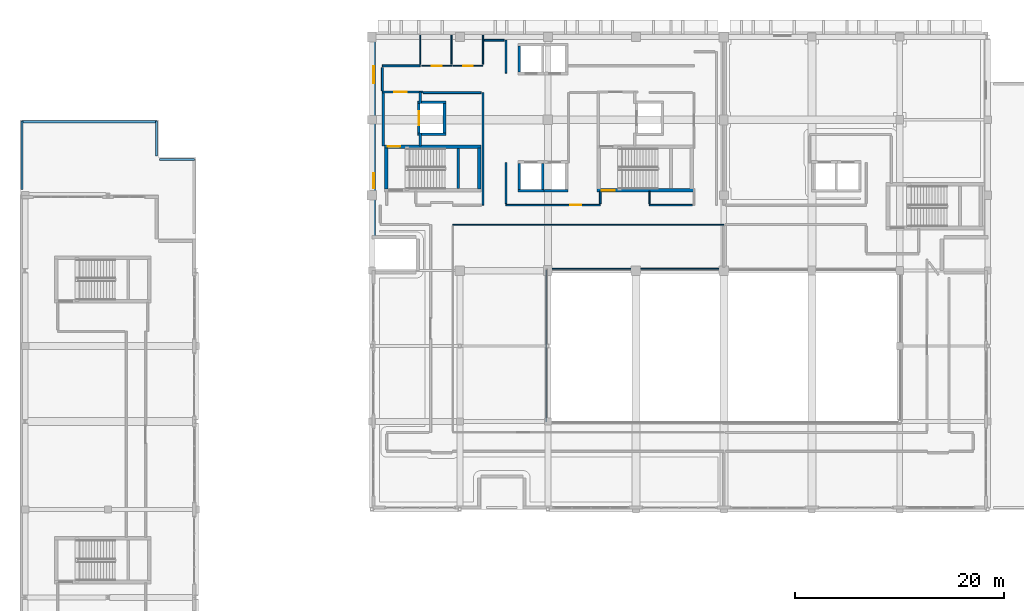
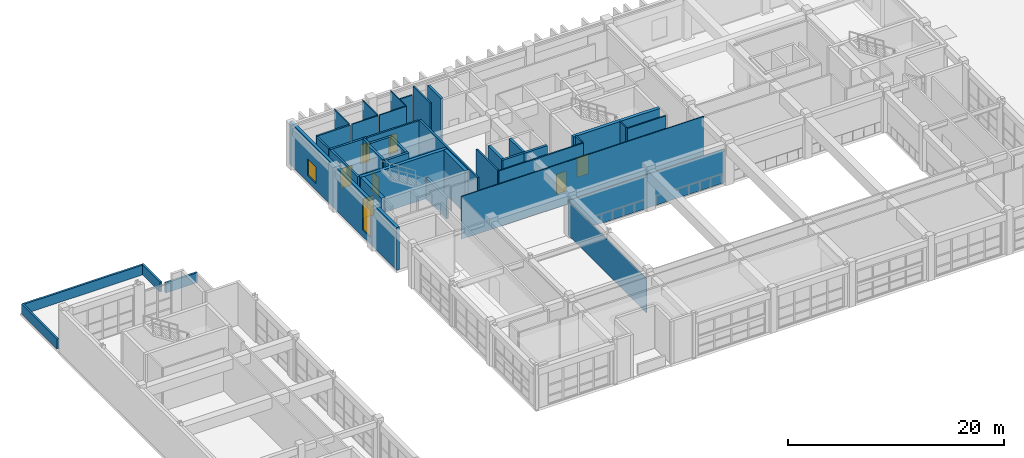
# One storey, part 63 of 78: 42 walls, 7 doors, 2 windows, 9 openings.
"""IFC4 building model written with IfcOpenShell, lengths in metres."""

from ifc_helpers import new_model, si_unit, direction, frame, frame_2d, origin, place, context, subcontext, project, spatial, rectangle, extrude, material, layer, layer_set, type_object, element, fill, save


model = new_model("IFC4")

# Units and contexts
model_context = context("Model", 3, precision=1e-05, world=origin(), true_north=direction((0.0, 1.0)))
body_context = subcontext(model_context, "Body", "Model", "MODEL_VIEW")
ifc_project = project(units=[si_unit("LENGTHUNIT", "METRE"), si_unit("AREAUNIT", "SQUARE_METRE"), si_unit("VOLUMEUNIT", "CUBIC_METRE"), si_unit("PLANEANGLEUNIT", "RADIAN"), si_unit("MASSUNIT", "GRAM", prefix="KILO")], contexts=[model_context])

# Site, building, storey
site_placement = place(None, origin())
site = spatial("IfcSite", under=ifc_project, at=site_placement, CompositionType="ELEMENT")
building_placement = place(site_placement, origin())
building = spatial("IfcBuilding", under=site, at=building_placement, Name="Quendrovan Civic Courthouse", CompositionType="ELEMENT")
storey_placement = place(building_placement, frame((0.0, 0.0, 10.199951171875)))
storey = spatial("IfcBuildingStorey", under=building, at=storey_placement, Name="L03", CompositionType="ELEMENT", Elevation=10.199951171875)

# Walls
ifc_material_1 = material(Name="Acoustic gypsum stud partition")
ifc_layer_1 = layer(ifc_material_1, 0.139892578125, Name="Acoustic gypsum stud partition")
ifc_layer_set_1 = layer_set([ifc_layer_1], Name="Acoustic gypsum stud partition")
wall_type_1 = type_object("IfcWallType", Name="WL-CHM-140", PredefinedType="PARTITIONING", material=ifc_layer_set_1)
wall_1_placement = place(storey_placement, frame((64.199951171875, 93.85009765625, 0.0), z_axis=(0.0, 0.0, 1.0), x_axis=(-1.0, 0.0, 0.0)))
element("IfcWall", 1, at=wall_1_placement, inside=storey, type_object=wall_type_1, Name="L03 Judges' Chambers Suite Partition 0488", PredefinedType="PARTITIONING", context=body_context, shape_type="SweptSolid", body=[
    extrude(rectangle(XDim=4.099853515625, YDim=0.139892578125, at=frame_2d((2.0498046875, 0.0))), origin(), (0.0, 0.0, 1.0), 4.820068359375),
])
wall_2_placement = place(storey_placement, frame((60.10009765625, 94.0, 0.0), z_axis=(0.0, 0.0, 1.0), x_axis=(0.0, 1.0, 0.0)))
element("IfcWall", 2, at=wall_2_placement, inside=storey, type_object=wall_type_1, Name="L03 Judges' Chambers Suite Partition 0541", PredefinedType="PARTITIONING", context=body_context, shape_type="SweptSolid", body=[
    extrude(rectangle(XDim=1.179931640625, YDim=0.139892578125, at=frame_2d((0.58984375, 0.0))), origin(), (0.0, 0.0, 1.0), 4.820068359375),
])

# Wall, opening, door
ifc_material_2 = material(Name="Concrete C45/55", Category="concrete")
ifc_layer_2 = layer(ifc_material_2, 0.35009765625, Name="Concrete C45/55")
ifc_layer_set_2 = layer_set([ifc_layer_2], Name="Concrete C45/55")
wall_type_2 = type_object("IfcWallType", Name="WL-CORE-350", PredefinedType="SHEAR", material=ifc_layer_set_2)
wall_3_placement = place(storey_placement, frame((44.010009765625, 99.43505859375, 0.0), z_axis=(0.0, 0.0, 1.0), x_axis=(-1.0, 0.0, 0.0)))
wall_3 = element("IfcWall", 3, at=wall_3_placement, inside=storey, type_object=wall_type_2, Name="L03 Core Shear Wall ST1-N", PredefinedType="SHEAR", context=body_context, shape_type="SweptSolid", body=[
    extrude(rectangle(XDim=9.219970703125, YDim=0.35009765625, at=frame_2d((4.60986328125, 0.0))), origin(), (0.0, 0.0, 1.0), 4.820068359375),
])
opening_1_placement = place(wall_3_placement, frame((7.719970703125, 0.0, 0.0)))
opening_1 = element("IfcOpeningElement", 4, at=opening_1_placement, cuts=wall_3, Name="Opening DFF-ST1-L03", PredefinedType="OPENING", context=body_context, shape_type="SweptSolid", body=[
    extrude(rectangle(XDim=1.199951171875, YDim=2.199951171875, at=frame_2d((0.60009765625, 1.10009765625))), frame((0.0, 0.18505859375, 0.0), z_axis=(0.0, -1.0, 0.0), x_axis=(1.0, 0.0, 0.0)), (0.0, 0.0, 1.0), 0.3701171875),
])
ifc_material_3 = material(Name="Painted galvanized hollow-metal steel", Category="steel")
door_type_1 = type_object("IfcDoorType", Name="DR-FFLOB-1200", OperationType="NOTDEFINED", PredefinedType="DOOR", material=ifc_material_3)
door_1_placement = place(opening_1_placement, origin())
door_1 = element("IfcDoor", 5, at=door_1_placement, inside=storey, type_object=door_type_1, Name="L03 Firefighting Lobby FL1 Direct Stair ST1 Door", OperationType="SINGLE_SWING_RIGHT", OverallHeight=2.199951171875, OverallWidth=1.199951171875, PredefinedType="DOOR", context=body_context, shape_type="SweptSolid", body=[
    extrude(rectangle(XDim=1.199951171875, YDim=2.199951171875, at=frame_2d((0.60009765625, 1.10009765625))), frame((0.0, 0.02490234375, 0.0), z_axis=(0.0, -1.0, 0.0), x_axis=(1.0, 0.0, 0.0)), (0.0, 0.0, 1.0), 0.050048828125),
])
fill(opening_1, door_1)

# Walls
for number, where, z_axis, x_axis, name in (
    (6, (34.965087890625, 95.39990234375, 0.0), (0.0, 0.0, 1.0), (0.0, 1.0, 0.0), "L03 Core Shear Wall ST1-W"),
    (7, (43.8349609375, 99.300048828125, 0.0), (0.0, 0.0, 1.0), (0.0, -1.0, 0.0), "L03 Core Shear Wall ST1-E"),
):
    element("IfcWall", number, at=place(storey_placement, frame(where, z_axis=z_axis, x_axis=x_axis)), inside=storey, type_object=wall_type_2, Name=name, PredefinedType="SHEAR", context=body_context, shape_type="SweptSolid", body=[
        extrude(rectangle(XDim=3.900146484375, YDim=0.35009765625, at=frame_2d((1.9501953125, 0.0))), origin(), (0.0, 0.0, 1.0), 4.820068359375),
    ])

# Wall, opening, door
wall_4_placement = place(storey_placement, frame((55.090087890625, 95.264892578125, 0.0), z_axis=(0.0, 0.0, 1.0), x_axis=(1.0, 0.0, 0.0)))
wall_4 = element("IfcWall", 8, at=wall_4_placement, inside=storey, type_object=wall_type_2, Name="L03 Core Shear Wall ST2-S", PredefinedType="SHEAR", context=body_context, shape_type="SweptSolid", body=[
    extrude(rectangle(XDim=9.219970703125, YDim=0.35009765625, at=frame_2d((4.60986328125, 0.0))), origin(), (0.0, 0.0, 1.0), 4.820068359375),
])
opening_2_placement = place(wall_4_placement, frame((0.449951171875, 0.0, 0.0)))
opening_2 = element("IfcOpeningElement", 9, at=opening_2_placement, cuts=wall_4, Name="Opening DS-ST2-L03", PredefinedType="OPENING", context=body_context, shape_type="SweptSolid", body=[
    extrude(rectangle(XDim=1.25, YDim=2.199951171875, at=frame_2d((0.625, 1.10009765625))), frame((0.0, 0.18505859375, 0.0), z_axis=(0.0, -1.0, 0.0), x_axis=(1.0, 0.0, 0.0)), (0.0, 0.0, 1.0), 0.3701171875),
])
door_type_2 = type_object("IfcDoorType", Name="DR-STAIR-1250", OperationType="NOTDEFINED", PredefinedType="DOOR", material=ifc_material_3)
door_2_placement = place(opening_2_placement, origin())
door_2 = element("IfcDoor", 10, at=door_2_placement, inside=storey, type_object=door_type_2, Name="L03 Exit Stair ST2 Fire Door", OperationType="SINGLE_SWING_RIGHT", OverallHeight=2.199951171875, OverallWidth=1.25, PredefinedType="DOOR", context=body_context, shape_type="SweptSolid", body=[
    extrude(rectangle(XDim=1.25, YDim=2.199951171875, at=frame_2d((0.625, 1.10009765625))), frame((0.0, 0.02490234375, 0.0), z_axis=(0.0, -1.0, 0.0), x_axis=(1.0, 0.0, 0.0)), (0.0, 0.0, 1.0), 0.050048828125),
])
fill(opening_2, door_2)

# Walls
ifc_material_4 = material(Name="Acoustic gypsum and mineral wool partition")
ifc_layer_3 = layer(ifc_material_4, 0.179931640625, Name="Acoustic gypsum and mineral wool partition")
ifc_layer_set_3 = layer_set([ifc_layer_3], Name="Acoustic gypsum and mineral wool partition")
wall_type_3 = type_object("IfcWallType", Name="WL-CRT-AC180", PredefinedType="PARTITIONING", material=ifc_layer_set_3)
wall_5_placement = place(storey_placement, frame((44.199951171875, 104.60009765625, 0.0), z_axis=(0.0, 0.0, 1.0), x_axis=(0.0, -1.0, 0.0)))
element("IfcWall", 11, at=wall_5_placement, inside=storey, type_object=wall_type_3, Name="L03 Criminal Courtroom Partition 0454", PredefinedType="PARTITIONING", context=body_context, shape_type="SweptSolid", body=[
    extrude(rectangle(XDim=10.75, YDim=0.179931640625, at=frame_2d((5.375, 0.0))), origin(), (0.0, 0.0, 1.0), 4.820068359375),
])
wall_6_placement = place(storey_placement, frame((38.47998046875, 104.60009765625, 0.0), z_axis=(0.0, 0.0, 1.0), x_axis=(1.0, 0.0, 0.0)))
element("IfcWall", 12, at=wall_6_placement, inside=storey, type_object=wall_type_3, Name="L03 Criminal Courtroom Partition 0473", PredefinedType="PARTITIONING", context=body_context, shape_type="SweptSolid", body=[
    extrude(rectangle(XDim=5.550048828125, YDim=0.179931640625, at=frame_2d((2.77490234375, 0.0))), origin(), (0.0, 0.0, 1.0), 4.820068359375),
])
wall_7_placement = place(storey_placement, frame((38.199951171875, 107.14990234375, 0.0), z_axis=(0.0, 0.0, 1.0), x_axis=(-1.0, 0.0, 0.0)))
element("IfcWall", 13, at=wall_7_placement, inside=storey, type_object=wall_type_3, Name="L03 Criminal Courtroom Partition 0495", PredefinedType="PARTITIONING", context=body_context, shape_type="SweptSolid", body=[
    extrude(rectangle(XDim=3.599853515625, YDim=0.179931640625, at=frame_2d((1.7998046875, 0.0))), origin(), (0.0, 0.0, 1.0), 4.820068359375),
])
wall_8_placement = place(storey_placement, frame((46.39990234375, 106.449951171875, 0.0), z_axis=(0.0, 0.0, 1.0), x_axis=(0.0, 1.0, 0.0)))
element("IfcWall", 14, at=wall_8_placement, inside=storey, type_object=wall_type_3, Name="L03 Criminal Courtroom Partition 0499", PredefinedType="PARTITIONING", context=body_context, shape_type="SweptSolid", body=[
    extrude(rectangle(XDim=3.150146484375, YDim=0.179931640625, at=frame_2d((1.5751953125, 0.0))), origin(), (0.0, 0.0, 1.0), 4.820068359375),
])
wall_9_placement = place(storey_placement, frame((34.60009765625, 106.97998046875, 0.0), z_axis=(0.0, 0.0, 1.0), x_axis=(0.0, -1.0, 0.0)))
element("IfcWall", 15, at=wall_9_placement, inside=storey, type_object=wall_type_3, Name="L03 Criminal Courtroom Partition 0513", PredefinedType="PARTITIONING", context=body_context, shape_type="SweptSolid", body=[
    extrude(rectangle(XDim=2.2099609375, YDim=0.179931640625, at=frame_2d((1.10498046875, 0.0))), origin(), (0.0, 0.0, 1.0), 4.820068359375),
])
wall_10_placement = place(storey_placement, frame((46.22998046875, 109.60009765625, 0.0), z_axis=(0.0, 0.0, 1.0), x_axis=(-1.0, 0.0, 0.0)))
element("IfcWall", 16, at=wall_10_placement, inside=storey, type_object=wall_type_3, Name="L03 Criminal Courtroom Partition 0519", PredefinedType="PARTITIONING", context=body_context, shape_type="SweptSolid", body=[
    extrude(rectangle(XDim=1.89501953125, YDim=0.179931640625, at=frame_2d((0.947509765625, 0.0))), origin(), (0.0, 0.0, 1.0), 3.900146484375),
])

# Wall, openings, windows
ifc_material_5 = material(Name="Precast concrete C45/55", Category="concrete")
ifc_layer_4 = layer(ifc_material_5, 0.320068359375, Name="Precast concrete C45/55")
ifc_layer_set_4 = layer_set([ifc_layer_4], Name="Precast concrete C45/55")
wall_type_4 = type_object("IfcWallType", Name="WL-EXT-PC320", PredefinedType="SOLIDWALL", material=ifc_layer_set_4)
wall_11_placement = place(storey_placement, frame((33.780029296875, 90.60009765625, 0.0), z_axis=(0.0, 0.0, 1.0), x_axis=(0.0, 1.0, 0.0)))
wall_11 = element("IfcWall", 17, at=wall_11_placement, inside=storey, type_object=wall_type_4, Name="L03 Exterior Precast Concrete Wall 286", PredefinedType="SOLIDWALL", context=body_context, shape_type="SweptSolid", body=[
    extrude(rectangle(XDim=19.7998046875, YDim=0.320068359375, at=frame_2d((9.89990234375, 0.0))), origin(), (0.0, 0.0, 1.0), 4.820068359375),
])
opening_3_placement = place(wall_11_placement, frame((4.8798828125, 0.0, 0.75)))
opening_3 = element("IfcOpeningElement", 18, at=opening_3_placement, cuts=wall_11, Name="Opening W29", PredefinedType="OPENING", context=body_context, shape_type="SweptSolid", body=[
    extrude(rectangle(XDim=1.43994140625, YDim=3.050048828125, at=frame_2d((0.719970703125, 1.52490234375))), frame((0.0, 0.169921875, 0.0), z_axis=(0.0, -1.0, 0.0), x_axis=(1.0, 0.0, 0.0)), (0.0, 0.0, 1.0), 0.340087890625),
])
opening_4_placement = place(wall_11_placement, frame((14.8701171875, 0.0, 0.75)))
opening_4 = element("IfcOpeningElement", 19, at=opening_4_placement, cuts=wall_11, Name="Opening W31", PredefinedType="OPENING", context=body_context, shape_type="SweptSolid", body=[
    extrude(rectangle(XDim=1.6201171875, YDim=1.85009765625, at=frame_2d((0.81005859375, 0.925048828125))), frame((0.0, 0.169921875, 0.0), z_axis=(0.0, -1.0, 0.0), x_axis=(1.0, 0.0, 0.0)), (0.0, 0.0, 1.0), 0.340087890625),
])
ifc_material_6 = material(Name="Laminated hurricane-impact low-E glass", Category="glass")
window_type_1 = type_object("IfcWindowType", Name="WIN-SLT-29", PartitioningType="SINGLE_PANEL", PredefinedType="WINDOW", material=ifc_material_6)
window_1_placement = place(opening_3_placement, origin())
window_1 = element("IfcWindow", 20, at=window_1_placement, inside=storey, type_object=window_type_1, Name="L03 Courtroom Shaded Slot Window 0015", OverallHeight=3.050048828125, OverallWidth=1.43994140625, PartitioningType="SINGLE_PANEL", PredefinedType="WINDOW", context=body_context, shape_type="SweptSolid", body=[
    extrude(rectangle(XDim=1.43994140625, YDim=3.050048828125, at=frame_2d((0.719970703125, 1.52490234375))), frame((0.0, 0.030029296875, 0.0), z_axis=(0.0, -1.0, 0.0), x_axis=(1.0, 0.0, 0.0)), (0.0, 0.0, 1.0), 0.06005859375),
])
fill(opening_3, window_1)
window_type_2 = type_object("IfcWindowType", Name="WIN-SLT-31", PartitioningType="SINGLE_PANEL", PredefinedType="WINDOW", material=ifc_material_6)
window_2_placement = place(opening_4_placement, origin())
window_2 = element("IfcWindow", 21, at=window_2_placement, inside=storey, type_object=window_type_2, Name="L03 Courtroom Shaded Slot Window 0016", OverallHeight=1.85009765625, OverallWidth=1.6201171875, PartitioningType="SINGLE_PANEL", PredefinedType="WINDOW", context=body_context, shape_type="SweptSolid", body=[
    extrude(rectangle(XDim=1.6201171875, YDim=1.85009765625, at=frame_2d((0.81005859375, 0.925048828125))), frame((0.0, 0.030029296875, 0.0), z_axis=(0.0, -1.0, 0.0), x_axis=(1.0, 0.0, 0.0)), (0.0, 0.0, 1.0), 0.06005859375),
])
fill(opening_4, window_2)

# Wall, opening, door
ifc_material_7 = material(Name="Concrete C40/50", Category="concrete")
ifc_layer_5 = layer(ifc_material_7, 0.22998046875, Name="Concrete C40/50")
ifc_layer_set_5 = layer_set([ifc_layer_5], Name="Concrete C40/50")
wall_type_5 = type_object("IfcWallType", Name="WL-FFLOB-230", PredefinedType="PARTITIONING", material=ifc_layer_set_5)
wall_12_placement = place(storey_placement, frame((34.590087890625, 104.64990234375, 0.0), z_axis=(0.0, 0.0, 1.0), x_axis=(1.0, 0.0, 0.0)))
wall_12 = element("IfcWall", 22, at=wall_12_placement, inside=storey, type_object=wall_type_5, Name="L03 Firefighting Lift Lobby FL1 Wall N", PredefinedType="PARTITIONING", context=body_context, shape_type="SweptSolid", body=[
    extrude(rectangle(XDim=3.889892578125, YDim=0.22998046875, at=frame_2d((1.94482421875, 0.0))), origin(), (0.0, 0.0, 1.0), 4.820068359375),
])
opening_5_placement = place(wall_12_placement, frame((1.14990234375, 0.0, 0.0)))
opening_5 = element("IfcOpeningElement", 23, at=opening_5_placement, cuts=wall_12, Name="Opening DF-FL1-L03N", PredefinedType="OPENING", context=body_context, shape_type="SweptSolid", body=[
    extrude(rectangle(XDim=1.199951171875, YDim=2.199951171875, at=frame_2d((0.60009765625, 1.10009765625))), frame((0.0, 0.125, 0.0), z_axis=(0.0, -1.0, 0.0), x_axis=(1.0, 0.0, 0.0)), (0.0, 0.0, 1.0), 0.25),
])
door_3_placement = place(opening_5_placement, origin())
door_3 = element("IfcDoor", 24, at=door_3_placement, inside=storey, type_object=door_type_1, Name="L03 Firefighting Lobby FL1 Fire Door N", OperationType="SINGLE_SWING_LEFT", OverallHeight=2.199951171875, OverallWidth=1.199951171875, PredefinedType="DOOR", context=body_context, shape_type="SweptSolid", body=[
    extrude(rectangle(XDim=1.199951171875, YDim=2.199951171875, at=frame_2d((0.60009765625, 1.10009765625))), frame((0.0, 0.02490234375, 0.0), z_axis=(0.0, -1.0, 0.0), x_axis=(1.0, 0.0, 0.0)), (0.0, 0.0, 1.0), 0.050048828125),
])
fill(opening_5, door_3)

# Walls
wall_13_placement = place(storey_placement, frame((34.699951171875, 99.5, 0.0), z_axis=(0.0, 0.0, 1.0), x_axis=(0.0, 1.0, 0.0)))
element("IfcWall", 25, at=wall_13_placement, inside=storey, type_object=wall_type_5, Name="L03 Firefighting Lift Lobby FL1 Wall W", PredefinedType="PARTITIONING", context=body_context, shape_type="SweptSolid", body=[
    extrude(rectangle(XDim=5.260009765625, YDim=0.22998046875, at=frame_2d((2.6298828125, 0.0))), origin(), (0.0, 0.0, 1.0), 4.820068359375),
])
wall_14_placement = place(storey_placement, frame((38.199951171875, 104.64990234375, 0.0), z_axis=(0.0, 0.0, 1.0), x_axis=(0.0, -1.0, 0.0)))
element("IfcWall", 26, at=wall_14_placement, inside=storey, type_object=wall_type_5, Name="L03 Firefighting Lift Lobby FL1 Wall EN", PredefinedType="PARTITIONING", context=body_context, shape_type="SweptSolid", body=[
    extrude(rectangle(XDim=1.099853515625, YDim=0.22998046875, at=frame_2d((0.5498046875, 0.0))), origin(), (0.0, 0.0, 1.0), 4.820068359375),
])
wall_15_placement = place(storey_placement, frame((38.199951171875, 100.75, 0.0), z_axis=(0.0, 0.0, 1.0), x_axis=(0.0, -1.0, 0.0)))
element("IfcWall", 27, at=wall_15_placement, inside=storey, type_object=wall_type_5, Name="L03 Firefighting Lift Lobby FL1 Wall ES", PredefinedType="PARTITIONING", context=body_context, shape_type="SweptSolid", body=[
    extrude(rectangle(XDim=1.25, YDim=0.22998046875, at=frame_2d((0.625, 0.0))), origin(), (0.0, 0.0, 1.0), 4.820068359375),
])
ifc_material_8 = material(Name="Lightweight gypsum partition")
ifc_layer_6 = layer(ifc_material_8, 0.10009765625, Name="Lightweight gypsum partition")
ifc_layer_set_6 = layer_set([ifc_layer_6], Name="Lightweight gypsum partition")
wall_type_6 = type_object("IfcWallType", Name="WL-INT-100", PredefinedType="PARTITIONING", material=ifc_layer_set_6)
wall_16_placement = place(storey_placement, frame((41.300048828125, 92.0, 0.0), z_axis=(0.0, 0.0, 1.0), x_axis=(1.0, 0.0, 0.0)))
element("IfcWall", 28, at=wall_16_placement, inside=storey, type_object=wall_type_6, Name="L03 Mediation Hearing Room Partition 0422", PredefinedType="PARTITIONING", context=body_context, shape_type="SweptSolid", body=[
    extrude(rectangle(XDim=25.89990234375, YDim=0.10009765625, at=frame_2d((12.949951171875, 0.0))), origin(), (0.0, 0.0, 1.0), 4.820068359375),
])
wall_17_placement = place(storey_placement, frame((66.929931640625, 87.760009765625, 0.0), z_axis=(0.0, 0.0, 1.0), x_axis=(-1.0, 0.0, 0.0)))
element("IfcWall", 29, at=wall_17_placement, inside=storey, type_object=wall_type_6, Name="L03 Mediation Hearing Room Partition 0434", PredefinedType="PARTITIONING", context=body_context, shape_type="SweptSolid", body=[
    extrude(rectangle(XDim=16.6298828125, YDim=0.10009765625, at=frame_2d((8.31494140625, 0.0))), origin(), (0.0, 0.0, 1.0), 3.800048828125),
])
wall_18_placement = place(storey_placement, frame((50.239990234375, 87.644775390625, 0.0), z_axis=(0.0, 0.0, 1.0), x_axis=(0.0, -1.0, 0.0)))
element("IfcWall", 30, at=wall_18_placement, inside=storey, type_object=wall_type_6, Name="L03 Mediation Hearing Room Partition 0447", PredefinedType="PARTITIONING", context=body_context, shape_type="SweptSolid", body=[
    extrude(rectangle(XDim=14.489501953125, YDim=0.10009765625, at=frame_2d((7.24462890625, 0.0))), origin(), (0.0, 0.0, 1.0), 3.85009765625),
])

# Wall, opening, door
ifc_layer_7 = layer(ifc_material_1, 0.14990234375, Name="Acoustic gypsum stud partition")
ifc_layer_set_7 = layer_set([ifc_layer_7], Name="Acoustic gypsum stud partition")
wall_type_7 = type_object("IfcWallType", Name="WL-JURY-150", PredefinedType="PARTITIONING", material=ifc_layer_set_7)
wall_19_placement = place(storey_placement, frame((55.39990234375, 93.85009765625, 0.0), z_axis=(0.0, 0.0, 1.0), x_axis=(-1.0, 0.0, 0.0)))
wall_19 = element("IfcWall", 31, at=wall_19_placement, inside=storey, type_object=wall_type_7, Name="L03 Jury Room Partition 0461", PredefinedType="PARTITIONING", context=body_context, shape_type="SweptSolid", body=[
    extrude(rectangle(XDim=9.0, YDim=0.14990234375, at=frame_2d((4.5, 0.0))), origin(), (0.0, 0.0, 1.0), 4.820068359375),
])
opening_6_placement = place(wall_19_placement, frame((1.800048828125, 0.0, 0.0)))
opening_6 = element("IfcOpeningElement", 32, at=opening_6_placement, cuts=wall_19, Name="Opening D-L03-073", PredefinedType="OPENING", context=body_context, shape_type="SweptSolid", body=[
    extrude(rectangle(XDim=1.080078125, YDim=2.280029296875, at=frame_2d((0.5400390625, 1.14013671875))), frame((0.0, 0.0849609375, 0.0), z_axis=(0.0, -1.0, 0.0), x_axis=(1.0, 0.0, 0.0)), (0.0, 0.0, 1.0), 0.169921875),
])
ifc_material_9 = material(Name="Acoustic solid timber door", Category="wood")
door_type_3 = type_object("IfcDoorType", Name="DR-JURY-1080", OperationType="NOTDEFINED", PredefinedType="DOOR", material=ifc_material_9)
door_4_placement = place(opening_6_placement, origin())
door_4 = element("IfcDoor", 33, at=door_4_placement, inside=storey, type_object=door_type_3, Name="L03 Jury Room Door D-L03-073", OperationType="SINGLE_SWING_RIGHT", OverallHeight=2.280029296875, OverallWidth=1.080078125, PredefinedType="DOOR", context=body_context, shape_type="SweptSolid", body=[
    extrude(rectangle(XDim=1.080078125, YDim=2.280029296875, at=frame_2d((0.5400390625, 1.14013671875))), frame((0.0, 0.02490234375, 0.0), z_axis=(0.0, -1.0, 0.0), x_axis=(1.0, 0.0, 0.0)), (0.0, 0.0, 1.0), 0.050048828125),
])
fill(opening_6, door_4)

# Walls
wall_20_placement = place(storey_placement, frame((46.39990234375, 94.0048828125, 0.0), z_axis=(0.0, 0.0, 1.0), x_axis=(0.0, 1.0, 0.0)))
element("IfcWall", 34, at=wall_20_placement, inside=storey, type_object=wall_type_7, Name="L03 Jury Room Partition 0492", PredefinedType="PARTITIONING", context=body_context, shape_type="SweptSolid", body=[
    extrude(rectangle(XDim=3.89501953125, YDim=0.14990234375, at=frame_2d((1.947509765625, 0.0))), origin(), (0.0, 0.0, 1.0), 4.820068359375),
])
wall_21_placement = place(storey_placement, frame((55.39990234375, 95.179931640625, 0.0), z_axis=(0.0, 0.0, 1.0), x_axis=(0.0, -1.0, 0.0)))
element("IfcWall", 35, at=wall_21_placement, inside=storey, type_object=wall_type_7, Name="L03 Jury Room Partition 0540", PredefinedType="PARTITIONING", context=body_context, shape_type="SweptSolid", body=[
    extrude(rectangle(XDim=1.175048828125, YDim=0.14990234375, at=frame_2d((0.58740234375, 0.0))), origin(), (0.0, 0.0, 1.0), 4.820068359375),
])
ifc_layer_8 = layer(ifc_material_5, 0.2099609375, Name="Precast concrete C45/55")
ifc_layer_set_8 = layer_set([ifc_layer_8], Name="Precast concrete C45/55")
wall_type_8 = type_object("IfcWallType", Name="WL-PARAPET-210", PredefinedType="PARAPET", material=ifc_layer_set_8)
wall_22_placement = place(storey_placement, frame((0.199951171875, 101.820068359375, 0.0), z_axis=(0.0, 0.0, 1.0), x_axis=(1.0, 0.0, 0.0)))
element("IfcWall", 36, at=wall_22_placement, inside=storey, type_object=wall_type_8, Name="L03 Precast Roof Parapet Wall 39", PredefinedType="PARAPET", context=body_context, shape_type="SweptSolid", body=[
    extrude(rectangle(XDim=12.880126953125, YDim=0.2099609375, at=frame_2d((6.43994140625, 0.0))), origin(), (0.0, 0.0, 1.0), 1.1201171875),
])
for number, where, z_axis, x_axis, name in (
    (37, (13.02001953125, 101.8798828125, 0.0), (0.0, 0.0, 1.0), (0.0, -1.0, 0.0), "L03 Precast Roof Parapet Wall 40"),
    (38, (13.320068359375, 98.219970703125, 0.0), (0.0, 0.0, 1.0), (1.0, 0.0, 0.0), "L03 Precast Roof Parapet Wall 41"),
):
    element("IfcWall", number, at=place(storey_placement, frame(where, z_axis=z_axis, x_axis=x_axis)), inside=storey, type_object=wall_type_8, Name=name, PredefinedType="PARAPET", context=body_context, shape_type="SweptSolid", body=[
        extrude(rectangle(XDim=3.35986328125, YDim=0.2099609375, at=frame_2d((1.679931640625, 0.0))), origin(), (0.0, 0.0, 1.0), 1.1201171875),
    ])
wall_23_placement = place(storey_placement, frame((0.199951171875, 95.340087890625, 0.0), z_axis=(0.0, 0.0, 1.0), x_axis=(0.0, 1.0, 0.0)))
element("IfcWall", 39, at=wall_23_placement, inside=storey, type_object=wall_type_8, Name="L03 Precast Roof Parapet Wall 43", PredefinedType="PARAPET", context=body_context, shape_type="SweptSolid", body=[
    extrude(rectangle(XDim=6.539794921875, YDim=0.2099609375, at=frame_2d((3.27001953125, 0.0))), origin(), (0.0, 0.0, 1.0), 1.1201171875),
])
ifc_layer_9 = layer(ifc_material_2, 0.25, Name="Concrete C45/55")
ifc_layer_set_9 = layer_set([ifc_layer_9], Name="Concrete C45/55")
wall_type_9 = type_object("IfcWallType", Name="WL-SHAFT-250", PredefinedType="SHEAR", material=ifc_layer_set_9)
wall_24_placement = place(storey_placement, frame((41.85009765625, 95.449951171875, 0.0), z_axis=(0.0, 0.0, 1.0), x_axis=(0.0, 1.0, 0.0)))
element("IfcWall", 40, at=wall_24_placement, inside=storey, type_object=wall_type_9, Name="L03 Stair ST1 Mid-Landing Bearing Wall", PredefinedType="SHEAR", context=body_context, shape_type="SweptSolid", body=[
    extrude(rectangle(XDim=3.800048828125, YDim=0.25, at=frame_2d((1.89990234375, 0.0))), origin(), (0.0, 0.0, 1.0), 2.3701171875),
])
for number, where, z_axis, x_axis, name in (
    (41, (47.550048828125, 95.22509765625, 0.0), (0.0, 0.0, 1.0), (1.0, 0.0, 0.0), "L03 Lift Hoistway Wall PL3 -Y"),
    (42, (47.675048828125, 95.35009765625, 0.0), (0.0, 0.0, 1.0), (0.0, 1.0, 0.0), "L03 Lift Hoistway Wall PL3 -X"),
    (43, (49.925048828125, 97.85009765625, 0.0), (0.0, 0.0, 1.0), (0.0, -1.0, 0.0), "L03 Lift Hoistway Wall PL3 +X"),
    (44, (49.800048828125, 95.22509765625, 0.0), (0.0, 0.0, 1.0), (1.0, 0.0, 0.0), "L03 Lift Hoistway Wall PL4 -Y"),
    (45, (47.675048828125, 106.550048828125, 0.0), (0.0, 0.0, 1.0), (0.0, 1.0, 0.0), "L03 Lift Hoistway Wall JL1 -X"),
):
    element("IfcWall", number, at=place(storey_placement, frame(where, z_axis=z_axis, x_axis=x_axis)), inside=storey, type_object=wall_type_9, Name=name, PredefinedType="SHEAR", context=body_context, shape_type="SweptSolid", body=[
        extrude(rectangle(XDim=2.5, YDim=0.25, at=frame_2d((1.25, 0.0))), origin(), (0.0, 0.0, 1.0), 4.820068359375),
    ])
for number, where, z_axis, x_axis, name in (
    (46, (37.949951171875, 100.625, 0.0), (0.0, 0.0, 1.0), (1.0, 0.0, 0.0), "L03 Lift Hoistway Wall FL1 -Y"),
    (47, (40.64990234375, 103.675048828125, 0.0), (0.0, 0.0, 1.0), (-1.0, 0.0, 0.0), "L03 Lift Hoistway Wall FL1 +Y"),
):
    element("IfcWall", number, at=place(storey_placement, frame(where, z_axis=z_axis, x_axis=x_axis)), inside=storey, type_object=wall_type_9, Name=name, PredefinedType="SHEAR", context=body_context, shape_type="SweptSolid", body=[
        extrude(rectangle(XDim=2.699951171875, YDim=0.25, at=frame_2d((1.35009765625, 0.0))), origin(), (0.0, 0.0, 1.0), 4.820068359375),
    ])

# Wall, opening, door
wall_25_placement = place(storey_placement, frame((38.074951171875, 100.75, 0.0), z_axis=(0.0, 0.0, 1.0), x_axis=(0.0, 1.0, 0.0)))
wall_25 = element("IfcWall", 48, at=wall_25_placement, inside=storey, type_object=wall_type_9, Name="L03 Lift Hoistway Wall FL1 -X", PredefinedType="SHEAR", context=body_context, shape_type="SweptSolid", body=[
    extrude(rectangle(XDim=2.800048828125, YDim=0.25, at=frame_2d((1.39990234375, 0.0))), origin(), (0.0, 0.0, 1.0), 4.820068359375),
])
opening_7_placement = place(wall_25_placement, frame((0.75, 0.0, 0.0)))
opening_7 = element("IfcOpeningElement", 49, at=opening_7_placement, cuts=wall_25, Name="Opening LD-FL1-L03", PredefinedType="OPENING", context=body_context, shape_type="SweptSolid", body=[
    extrude(rectangle(XDim=1.300048828125, YDim=2.25, at=frame_2d((0.64990234375, 1.125))), frame((0.0, 0.135009765625, 0.0), z_axis=(0.0, -1.0, 0.0), x_axis=(1.0, 0.0, 0.0)), (0.0, 0.0, 1.0), 0.27001953125),
])
ifc_material_10 = material(Name="Smoke-tight fire-service stainless steel", Category="steel")
door_type_4 = type_object("IfcDoorType", Name="DR-LIFT-LD-FL", OperationType="NOTDEFINED", PredefinedType="DOOR", material=ifc_material_10)
door_5_placement = place(opening_7_placement, origin())
door_5 = element("IfcDoor", 50, at=door_5_placement, inside=storey, type_object=door_type_4, Name="L03 Lift FL1 Sliding Landing Door", OperationType="SLIDING_TO_RIGHT", OverallHeight=2.25, OverallWidth=1.300048828125, PredefinedType="DOOR", context=body_context, shape_type="SweptSolid", body=[
    extrude(rectangle(XDim=1.300048828125, YDim=2.25, at=frame_2d((0.64990234375, 1.125))), frame((0.0, 0.02490234375, 0.0), z_axis=(0.0, -1.0, 0.0), x_axis=(1.0, 0.0, 0.0)), (0.0, 0.0, 1.0), 0.050048828125),
])
fill(opening_7, door_5)

# Wall
wall_26_placement = place(storey_placement, frame((40.52490234375, 103.550048828125, 0.0), z_axis=(0.0, 0.0, 1.0), x_axis=(0.0, -1.0, 0.0)))
element("IfcWall", 51, at=wall_26_placement, inside=storey, type_object=wall_type_9, Name="L03 Lift Hoistway Wall FL1 +X", PredefinedType="SHEAR", context=body_context, shape_type="SweptSolid", body=[
    extrude(rectangle(XDim=2.800048828125, YDim=0.25, at=frame_2d((1.39990234375, 0.0))), origin(), (0.0, 0.0, 1.0), 4.820068359375),
])

# Wall, opening, door
ifc_material_11 = material(Name="Moisture-resistant tile-backer partition")
ifc_layer_10 = layer(ifc_material_11, 0.110107421875, Name="Moisture-resistant tile-backer partition")
ifc_layer_set_10 = layer_set([ifc_layer_10], Name="Moisture-resistant tile-backer partition")
wall_type_10 = type_object("IfcWallType", Name="WL-WET-110", PredefinedType="PARTITIONING", material=ifc_layer_set_10)
wall_27_placement = place(storey_placement, frame((41.199951171875, 107.14990234375, 0.0), z_axis=(0.0, 0.0, 1.0), x_axis=(-1.0, 0.0, 0.0)))
wall_27 = element("IfcWall", 52, at=wall_27_placement, inside=storey, type_object=wall_type_10, Name="L03 L03 Accessible WC Partition 0500", PredefinedType="PARTITIONING", context=body_context, shape_type="SweptSolid", body=[
    extrude(rectangle(XDim=2.829833984375, YDim=0.110107421875, at=frame_2d((1.4150390625, 0.0))), origin(), (0.0, 0.0, 1.0), 4.820068359375),
])
opening_8_placement = place(wall_27_placement, frame((0.93505859375, 0.0, 0.0)))
opening_8 = element("IfcOpeningElement", 53, at=opening_8_placement, cuts=wall_27, Name="Opening D-L03-058", PredefinedType="OPENING", context=body_context, shape_type="SweptSolid", body=[
    extrude(rectangle(XDim=0.9599609375, YDim=2.139892578125, at=frame_2d((0.47998046875, 1.06982421875))), frame((0.0, 0.06494140625, 0.0), z_axis=(0.0, -1.0, 0.0), x_axis=(1.0, 0.0, 0.0)), (0.0, 0.0, 1.0), 0.130126953125),
])
ifc_material_12 = material(Name="Moisture-resistant laminate timber door", Category="wood")
door_type_5 = type_object("IfcDoorType", Name="DR-WC-ACC-960", OperationType="NOTDEFINED", PredefinedType="DOOR", material=ifc_material_12)
door_6_placement = place(opening_8_placement, origin())
door_6 = element("IfcDoor", 54, at=door_6_placement, inside=storey, type_object=door_type_5, Name="L03 L03 Accessible WC Door D-L03-058", OperationType="SINGLE_SWING_LEFT", OverallHeight=2.139892578125, OverallWidth=0.9599609375, PredefinedType="DOOR", context=body_context, shape_type="SweptSolid", body=[
    extrude(rectangle(XDim=0.9599609375, YDim=2.139892578125, at=frame_2d((0.47998046875, 1.06982421875))), frame((0.0, 0.02490234375, 0.0), z_axis=(0.0, -1.0, 0.0), x_axis=(1.0, 0.0, 0.0)), (0.0, 0.0, 1.0), 0.050048828125),
])
fill(opening_8, door_6)

wall_28_placement = place(storey_placement, frame((44.199951171875, 107.14990234375, 0.0), z_axis=(0.0, 0.0, 1.0), x_axis=(-1.0, 0.0, 0.0)))
wall_28 = element("IfcWall", 55, at=wall_28_placement, inside=storey, type_object=wall_type_10, Name="L03 L03 Judicial and Public Restroom Partition 0501", PredefinedType="PARTITIONING", context=body_context, shape_type="SweptSolid", body=[
    extrude(rectangle(XDim=2.864990234375, YDim=0.110107421875, at=frame_2d((1.4326171875, 0.0))), origin(), (0.0, 0.0, 1.0), 4.820068359375),
])
opening_9_placement = place(wall_28_placement, frame((0.972412109375, 0.0, 0.0)))
opening_9 = element("IfcOpeningElement", 56, at=opening_9_placement, cuts=wall_28, Name="Opening D-L03-059", PredefinedType="OPENING", context=body_context, shape_type="SweptSolid", body=[
    extrude(rectangle(XDim=0.919921875, YDim=2.1201171875, at=frame_2d((0.4599609375, 1.06005859375))), frame((0.0, 0.06494140625, 0.0), z_axis=(0.0, -1.0, 0.0), x_axis=(1.0, 0.0, 0.0)), (0.0, 0.0, 1.0), 0.130126953125),
])
door_type_6 = type_object("IfcDoorType", Name="DR-WC-STD-920", OperationType="NOTDEFINED", PredefinedType="DOOR", material=ifc_material_12)
door_7_placement = place(opening_9_placement, origin())
door_7 = element("IfcDoor", 57, at=door_7_placement, inside=storey, type_object=door_type_6, Name="L03 L03 Judicial and Public Restroom Door D-L03-059", OperationType="SINGLE_SWING_RIGHT", OverallHeight=2.1201171875, OverallWidth=0.919921875, PredefinedType="DOOR", context=body_context, shape_type="SweptSolid", body=[
    extrude(rectangle(XDim=0.919921875, YDim=2.1201171875, at=frame_2d((0.4599609375, 1.06005859375))), frame((0.0, 0.02490234375, 0.0), z_axis=(0.0, -1.0, 0.0), x_axis=(1.0, 0.0, 0.0)), (0.0, 0.0, 1.0), 0.050048828125),
])
fill(opening_9, door_7)

# Walls
wall_29_placement = place(storey_placement, frame((41.199951171875, 110.050048828125, 0.0), z_axis=(0.0, 0.0, 1.0), x_axis=(0.0, -1.0, 0.0)))
element("IfcWall", 58, at=wall_29_placement, inside=storey, type_object=wall_type_10, Name="L03 L03 Accessible WC Partition 0504", PredefinedType="PARTITIONING", context=body_context, shape_type="SweptSolid", body=[
    extrude(rectangle(XDim=2.76513671875, YDim=0.110107421875, at=frame_2d((1.382568359375, 0.0))), origin(), (0.0, 0.0, 1.0), 4.820068359375),
])
wall_30_placement = place(storey_placement, frame((38.199951171875, 107.320068359375, 0.0), z_axis=(0.0, 0.0, 1.0), x_axis=(0.0, 1.0, 0.0)))
element("IfcWall", 59, at=wall_30_placement, inside=storey, type_object=wall_type_10, Name="L03 L03 Accessible WC Partition 0505", PredefinedType="PARTITIONING", context=body_context, shape_type="SweptSolid", body=[
    extrude(rectangle(XDim=2.72998046875, YDim=0.110107421875, at=frame_2d((1.364990234375, 0.0))), origin(), (0.0, 0.0, 1.0), 4.820068359375),
])
wall_31_placement = place(storey_placement, frame((44.199951171875, 110.050048828125, 0.0), z_axis=(0.0, 0.0, 1.0), x_axis=(0.0, -1.0, 0.0)))
element("IfcWall", 60, at=wall_31_placement, inside=storey, type_object=wall_type_10, Name="L03 L03 Judicial and Public Restroom Partition 0506", PredefinedType="PARTITIONING", context=body_context, shape_type="SweptSolid", body=[
    extrude(rectangle(XDim=2.76513671875, YDim=0.110107421875, at=frame_2d((1.382568359375, 0.0))), origin(), (0.0, 0.0, 1.0), 4.820068359375),
])

save(model, "model.ifc")
